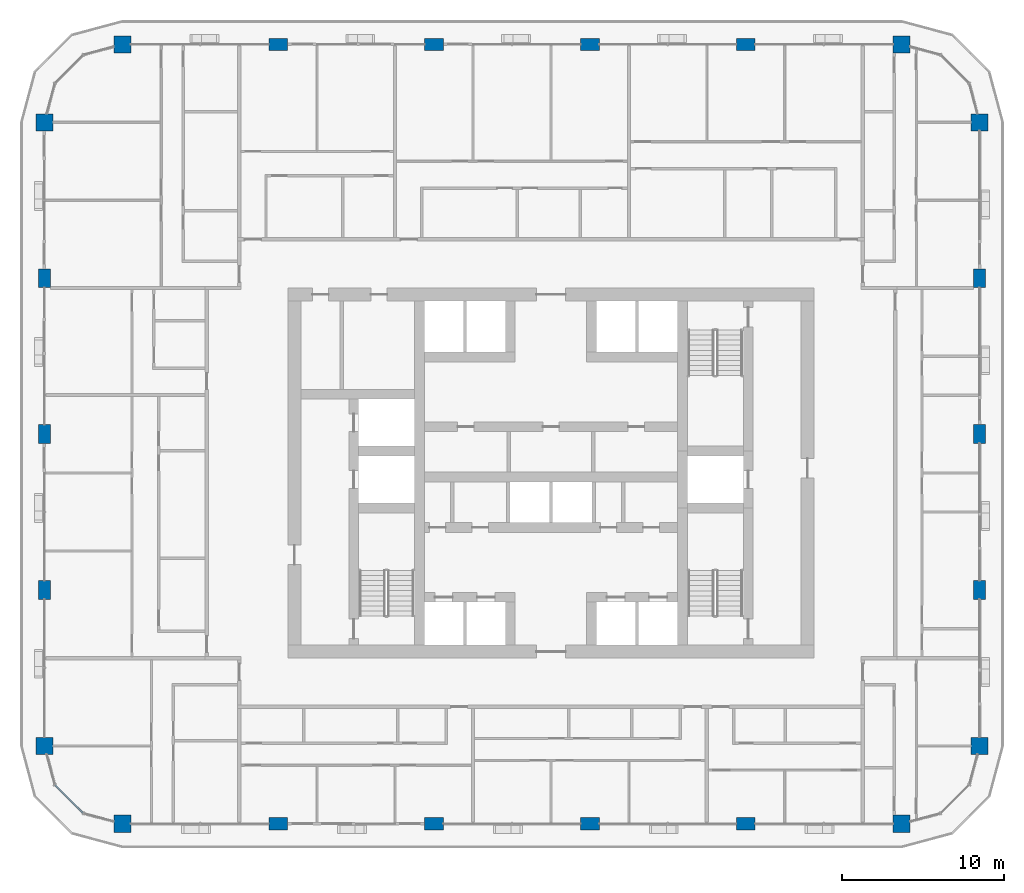
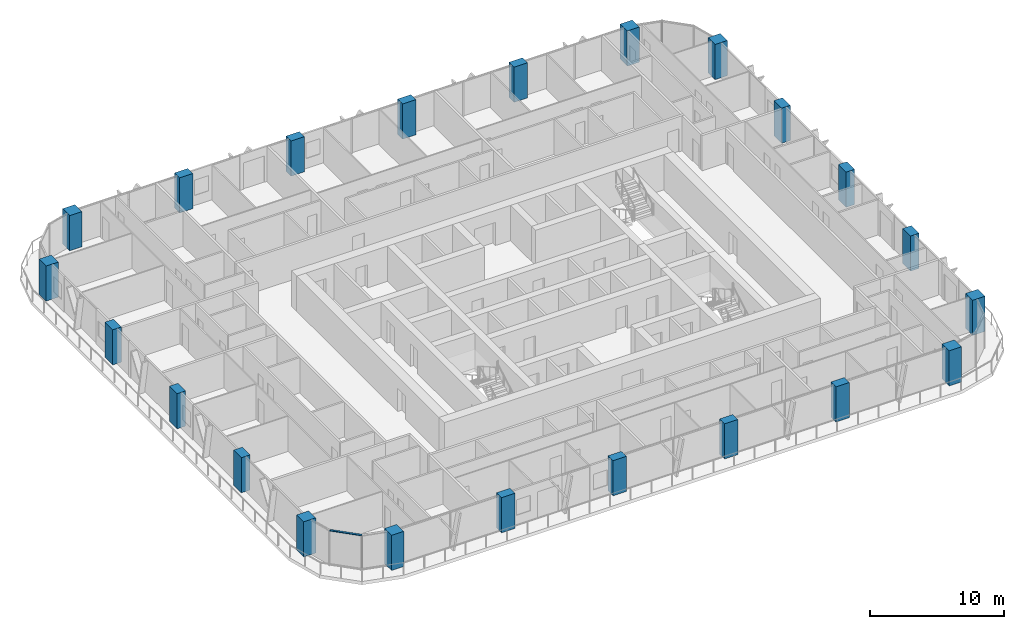
# One storey, part 1 of 23: 22 columns, 1 member, 1 element without a shape of its own.
"""IFC4 building model written with IfcOpenShell, lengths in metres."""

from ifc_helpers import new_model, si_unit, direction, frame, origin, origin_2d, place, context, subcontext, project, spatial, rectangle, extrude, material, layer, layer_set, material_profile, profile_set, type_object, element, aggregate, save


model = new_model("IFC4")

# Units and contexts
model_context = context("Model", 3, precision=1e-05, world=origin(), true_north=direction((0.0, 1.0)))
body_context = subcontext(model_context, "Body", "Model", "MODEL_VIEW")
ifc_project = project(units=[si_unit("LENGTHUNIT", "METRE"), si_unit("AREAUNIT", "SQUARE_METRE"), si_unit("VOLUMEUNIT", "CUBIC_METRE"), si_unit("PLANEANGLEUNIT", "RADIAN"), si_unit("MASSUNIT", "GRAM", prefix="KILO")], contexts=[model_context])

# Site, building, storey
site_placement = place(None, origin())
site = spatial("IfcSite", under=ifc_project, at=site_placement, CompositionType="ELEMENT")
building_placement = place(site_placement, origin())
building = spatial("IfcBuilding", under=site, at=building_placement, Name="Madar Terraces", CompositionType="ELEMENT")
storey_placement = place(building_placement, frame((0.0, 0.0, 133.10009765625)))
storey = spatial("IfcBuildingStorey", under=building, at=storey_placement, Name="L34", CompositionType="ELEMENT", Elevation=133.10009765625)

# Columns
ifc_material_1 = material(Name="Concrete C70/85", Category="concrete")
ifc_material_profile_1 = material_profile(ifc_material_1, rectangle(XDim=1.14990234375, YDim=0.75, at=origin_2d()), Name="CC3 RC 1150x750")
ifc_profile_set_1 = profile_set([ifc_material_profile_1], Name="Concrete C70/85")
column_type_1 = type_object("IfcColumnType", Name="CC3 RC 1150x750", PredefinedType="COLUMN", material=ifc_profile_set_1)
for number, where, z_axis, x_axis, name in (
    (1, (14.39990234375, 4.800048828125, 0.0), (0.0, 0.0, 1.0), (1.0, 0.0, 0.0), "Perimeter column S2"),
    (2, (24.0, 4.800048828125, 0.0), (0.0, 0.0, 1.0), (1.0, 0.0, 0.0), "Perimeter column S3"),
    (3, (33.60009765625, 4.800048828125, 0.0), (0.0, 0.0, 1.0), (1.0, 0.0, 0.0), "Perimeter column S4"),
    (4, (43.199951171875, 4.800048828125, 0.0), (0.0, 0.0, 1.0), (1.0, 0.0, 0.0), "Perimeter column S5"),
    (5, (57.60009765625, 19.199951171875, 0.0), (0.0, 0.0, 1.0), (0.0, 1.0, 0.0), "Perimeter column E2"),
    (6, (57.60009765625, 28.800048828125, 0.0), (0.0, 0.0, 1.0), (0.0, 1.0, 0.0), "Perimeter column E3"),
    (7, (57.60009765625, 38.39990234375, 0.0), (0.0, 0.0, 1.0), (0.0, 1.0, 0.0), "Perimeter column E4"),
    (8, (43.199951171875, 52.800048828125, 0.0), (0.0, 0.0, 1.0), (1.0, 0.0, 0.0), "Perimeter column N2"),
    (9, (33.60009765625, 52.800048828125, 0.0), (0.0, 0.0, 1.0), (1.0, 0.0, 0.0), "Perimeter column N3"),
    (10, (24.0, 52.800048828125, 0.0), (0.0, 0.0, 1.0), (1.0, 0.0, 0.0), "Perimeter column N4"),
    (11, (14.39990234375, 52.800048828125, 0.0), (0.0, 0.0, 1.0), (1.0, 0.0, 0.0), "Perimeter column N5"),
    (12, (0.0, 38.39990234375, 0.0), (0.0, 0.0, 1.0), (0.0, 1.0, 0.0), "Perimeter column W2"),
    (13, (0.0, 28.800048828125, 0.0), (0.0, 0.0, 1.0), (0.0, 1.0, 0.0), "Perimeter column W3"),
    (14, (0.0, 19.199951171875, 0.0), (0.0, 0.0, 1.0), (0.0, 1.0, 0.0), "Perimeter column W4"),
):
    element("IfcColumn", number, at=place(storey_placement, frame(where, z_axis=z_axis, x_axis=x_axis)), inside=storey, type_object=column_type_1, Name=name, PredefinedType="COLUMN", context=body_context, shape_type="SweptSolid", body=[
        extrude(rectangle(XDim=1.14990234375, YDim=0.75, at=origin_2d()), origin(), (0.0, 0.0, 1.0), 3.199951171875),
    ])
ifc_material_2 = material(Name="Concrete C70/85", Category="concrete")
ifc_material_profile_2 = material_profile(ifc_material_2, rectangle(XDim=1.050048828125, YDim=1.050048828125, at=origin_2d()), Name="KC3 RC 1050x1050")
ifc_profile_set_2 = profile_set([ifc_material_profile_2], Name="Concrete C70/85")
column_type_2 = type_object("IfcColumnType", Name="KC3 RC 1050x1050", PredefinedType="COLUMN", material=ifc_profile_set_2)
for number, where, z_axis, x_axis, name in (
    (15, (4.800048828125, 4.800048828125, 0.0), (0.0, 0.0, 1.0), (1.0, 0.0, 0.0), "Perimeter column S1"),
    (16, (52.800048828125, 4.800048828125, 0.0), (0.0, 0.0, 1.0), (1.0, 0.0, 0.0), "Perimeter column S6"),
    (17, (57.60009765625, 9.60009765625, 0.0), (0.0, 0.0, 1.0), (1.0, 0.0, 0.0), "Perimeter column E1"),
    (18, (57.60009765625, 48.0, 0.0), (0.0, 0.0, 1.0), (1.0, 0.0, 0.0), "Perimeter column E5"),
    (19, (52.800048828125, 52.800048828125, 0.0), (0.0, 0.0, 1.0), (1.0, 0.0, 0.0), "Perimeter column N1"),
    (20, (4.800048828125, 52.800048828125, 0.0), (0.0, 0.0, 1.0), (1.0, 0.0, 0.0), "Perimeter column N6"),
    (21, (0.0, 48.0, 0.0), (0.0, 0.0, 1.0), (1.0, 0.0, 0.0), "Perimeter column W1"),
    (22, (0.0, 9.60009765625, 0.0), (0.0, 0.0, 1.0), (1.0, 0.0, 0.0), "Perimeter column W5"),
):
    element("IfcColumn", number, at=place(storey_placement, frame(where, z_axis=z_axis, x_axis=x_axis)), inside=storey, type_object=column_type_2, Name=name, PredefinedType="COLUMN", context=body_context, shape_type="SweptSolid", body=[
        extrude(rectangle(XDim=1.050048828125, YDim=1.050048828125, at=origin_2d()), origin(), (0.0, 0.0, 1.0), 3.199951171875),
    ])

# Curtain wall, member
ifc_material_3 = material(Name="Glass, ceramic frit dark grey, with black aluminium frame", Category="aluminium")
ifc_layer = layer(ifc_material_3, 0.199951171875)
ifc_layer_set = layer_set([ifc_layer], Name="Facade curtain wall, fritted glass")
curtain_wall_type = type_object("IfcCurtainWallType", Name="Facade curtain wall, fritted glass", PredefinedType="NOTDEFINED", material=ifc_layer_set)
curtain_wall_placement = place(storey_placement, origin())
curtain_wall = element("IfcCurtainWall", 23, at=curtain_wall_placement, inside=storey, type_object=curtain_wall_type, Name="Outer skin curtain wall south-west corner", PredefinedType="NOTDEFINED")
ifc_material_4 = material(Name="Aluminium, black anodised", Category="aluminium")
ifc_material_profile_3 = material_profile(ifc_material_4, rectangle(XDim=0.1201171875, YDim=0.06005859375, at=origin_2d()), Name="Facade transom 60x120")
ifc_profile_set_3 = profile_set([ifc_material_profile_3], Name="Aluminium, black anodised")
member_type = type_object("IfcMemberType", Name="Facade transom 60x120", PredefinedType="USERDEFINED", material=ifc_profile_set_3)
member_placement = place(storey_placement, frame((0.664306640625, 7.1787109375, 3.169921875), z_axis=(0.707157125196, -0.707056433593, 0.0), x_axis=(0.707056433593, 0.707157125196, 0.0)))
member = element("IfcMember", 24, at=member_placement, type_object=member_type, Name="Transom 2", ObjectType="TRANSOM", PredefinedType="USERDEFINED", context=body_context, shape_type="SweptSolid", body=[
    extrude(rectangle(XDim=0.1201171875, YDim=0.06005859375, at=origin_2d()), origin(), (0.0, 0.0, 1.0), 2.424560546875),
])
aggregate(curtain_wall, [member])

save(model, "model.ifc")
